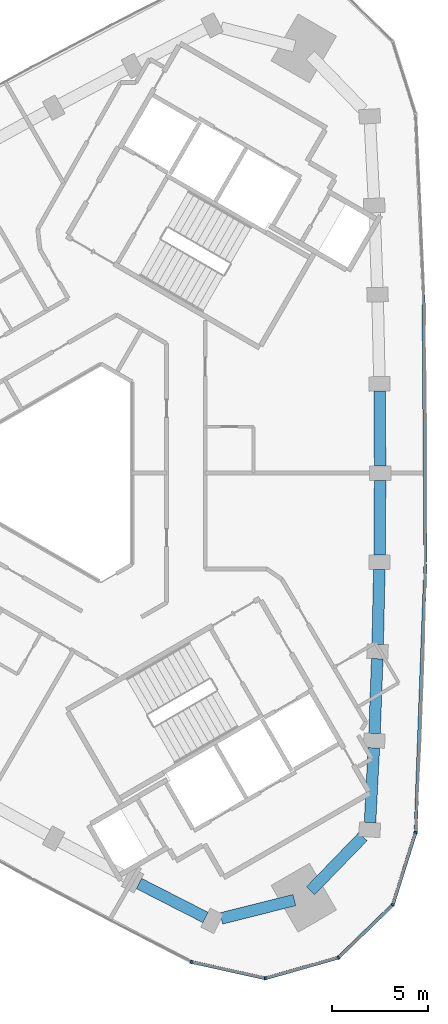
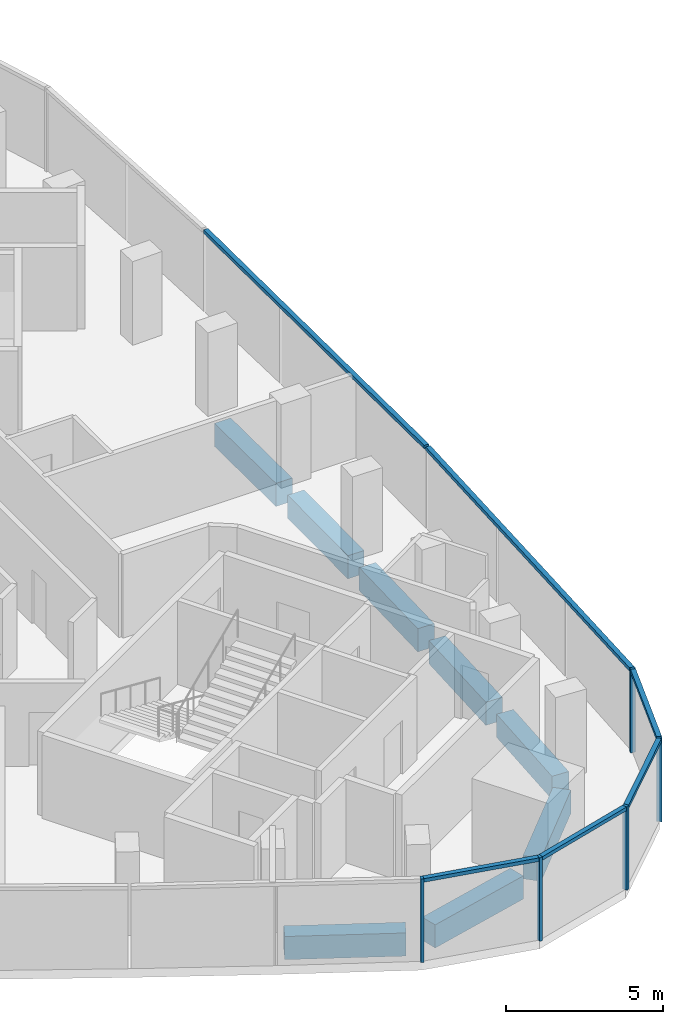
# One storey, part 3 of 11: 11 members, 8 beams, 2 elements without a shape of their own.
"""IFC4 building model written with IfcOpenShell, lengths in metres."""

from ifc_helpers import new_model, si_unit, direction, frame, origin, origin_2d, place, context, subcontext, project, spatial, rectangle, extrude, material, material_profile, profile_set, type_object, element, aggregate, save


model = new_model("IFC4")

# Units and contexts
model_context = context("Model", 3, precision=1e-05, world=origin(), true_north=direction((0.0, 1.0)))
body_context = subcontext(model_context, "Body", "Model", "MODEL_VIEW")
ifc_project = project(units=[si_unit("LENGTHUNIT", "METRE"), si_unit("AREAUNIT", "SQUARE_METRE"), si_unit("VOLUMEUNIT", "CUBIC_METRE"), si_unit("PLANEANGLEUNIT", "RADIAN"), si_unit("MASSUNIT", "GRAM", prefix="KILO")], contexts=[model_context])

# Site, building, storey
site_placement = place(None, origin())
site = spatial("IfcSite", under=ifc_project, at=site_placement, CompositionType="ELEMENT")
building_placement = place(site_placement, origin())
building = spatial("IfcBuilding", under=site, at=building_placement, Name="Tamra Quay Hotel Tower", CompositionType="ELEMENT")
storey_placement = place(building_placement, frame((0.0, 0.0, 235.800048828125)))
storey = spatial("IfcBuildingStorey", under=building, at=storey_placement, Name="L59", CompositionType="ELEMENT", Elevation=235.800048828125)

# Curtain wall, member
ifc_material_1 = material(Name="Aluminium 6063 anodised dark grey", Category="aluminium")
curtain_wall_type_1 = type_object("IfcCurtainWallType", Name="CW1 CURTAIN WALL", PredefinedType="NOTDEFINED", material=ifc_material_1)
curtain_wall_1_placement = place(storey_placement, origin())
curtain_wall_1 = element("IfcCurtainWall", 1, at=curtain_wall_1_placement, inside=storey, type_object=curtain_wall_type_1, Name="CW1 east face L59", PredefinedType="NOTDEFINED")
ifc_material_profile_1 = material_profile(ifc_material_1, rectangle(XDim=0.169921875, YDim=0.10009765625, at=origin_2d()), Name="MULLION 100X170")
ifc_profile_set_1 = profile_set([ifc_material_profile_1], Name="Aluminium 6063 anodised dark grey")
member_type_1 = type_object("IfcMemberType", Name="MULLION CW1 Z5", PredefinedType="MULLION", material=ifc_profile_set_1)
member_1_placement = place(storey_placement, frame((18.50732421875, -18.63037109375, 0.0), z_axis=(0.0, 0.0, 1.0), x_axis=(0.984105369622, -0.177585532857, 0.0)))
member_1 = element("IfcMember", 2, at=member_1_placement, type_object=member_type_1, Name="CW1 mullion L59.E.1", PredefinedType="MULLION", context=body_context, shape_type="SweptSolid", body=[
    extrude(rectangle(XDim=0.169921875, YDim=0.10009765625, at=origin_2d()), origin(), (0.0, 0.0, 1.0), 3.25),
])

# Curtain wall, members
curtain_wall_type_2 = type_object("IfcCurtainWallType", Name="CW3 CURTAIN WALL", PredefinedType="NOTDEFINED", material=ifc_material_1)
curtain_wall_2_placement = place(storey_placement, origin())
curtain_wall_2 = element("IfcCurtainWall", 3, at=curtain_wall_2_placement, inside=storey, type_object=curtain_wall_type_2, Name="CW3 south-west face L59", PredefinedType="NOTDEFINED")
ifc_material_profile_2 = material_profile(ifc_material_1, rectangle(XDim=0.169921875, YDim=0.10009765625, at=origin_2d()), Name="MULLION 100X170")
ifc_profile_set_2 = profile_set([ifc_material_profile_2], Name="Aluminium 6063 anodised dark grey")
member_type_2 = type_object("IfcMemberType", Name="MULLION CW3 Z5", PredefinedType="MULLION", material=ifc_profile_set_2)
member_2_placement = place(storey_placement, frame((6.880615234375, -25.343017578125, 0.0), z_axis=(0.0, 0.0, 1.0), x_axis=(-0.338259102012, -0.941053016522, 0.0)))
member_2 = element("IfcMember", 4, at=member_2_placement, type_object=member_type_2, Name="CW3 mullion L59.SW.9", PredefinedType="MULLION", context=body_context, shape_type="SweptSolid", body=[
    extrude(rectangle(XDim=0.169921875, YDim=0.10009765625, at=origin_2d()), origin(), (0.0, 0.0, 1.0), 3.25),
])
member_3_placement = place(storey_placement, frame((10.719970703125, -26.193359375, 0.0), z_axis=(0.0, 0.0, 1.0), x_axis=(0.029222506575, -0.999572931361, 0.0)))
member_3 = element("IfcMember", 5, at=member_3_placement, type_object=member_type_2, Name="CW3 mullion L59.SW.10", PredefinedType="MULLION", context=body_context, shape_type="SweptSolid", body=[
    extrude(rectangle(XDim=0.169921875, YDim=0.10009765625, at=origin_2d()), origin(), (0.0, 0.0, 1.0), 3.25),
])
member_4_placement = place(storey_placement, frame((14.503173828125, -25.1201171875, 0.0), z_axis=(0.0, 0.0, 1.0), x_axis=(0.5, -0.866025403784, 0.0)))
member_4 = element("IfcMember", 6, at=member_4_placement, type_object=member_type_2, Name="CW3 mullion L59.SW.11", PredefinedType="MULLION", context=body_context, shape_type="SweptSolid", body=[
    extrude(rectangle(XDim=0.169921875, YDim=0.10009765625, at=origin_2d()), origin(), (0.0, 0.0, 1.0), 3.25),
])
member_5_placement = place(storey_placement, frame((17.323974609375, -22.38037109375, 0.0), z_axis=(0.0, 0.0, 1.0), x_axis=(0.851044298206, -0.525093898736, 0.0)))
member_5 = element("IfcMember", 7, at=member_5_placement, type_object=member_type_2, Name="CW3 mullion L59.SW.12", PredefinedType="MULLION", context=body_context, shape_type="SweptSolid", body=[
    extrude(rectangle(XDim=0.169921875, YDim=0.10009765625, at=origin_2d()), origin(), (0.0, 0.0, 1.0), 3.25),
])

# Beams
ifc_material_2 = material(Name="Concrete M60", Category="concrete")
ifc_material_profile_3 = material_profile(ifc_material_2, rectangle(XDim=0.60009765625, YDim=0.89990234375, at=origin_2d()), Name="SPANDREL BEAM RC 600x900")
ifc_profile_set_3 = profile_set([ifc_material_profile_3], Name="Concrete M60")
beam_type = type_object("IfcBeamType", Name="SPANDREL BEAM RC 600x900", PredefinedType="SPANDREL", material=ifc_profile_set_3)
beam_1_placement = place(storey_placement, frame((16.144775390625, -18.116455078125, -0.800048828125), z_axis=(0.051404854824, 0.998677896471, 0.0), x_axis=(-0.998677896471, 0.051404854824, 0.0)))
element("IfcBeam", 8, at=beam_1_placement, inside=storey, type_object=beam_type, Name="BM-SP5-000-L59", PredefinedType="SPANDREL", context=body_context, shape_type="SweptSolid", body=[
    extrude(rectangle(XDim=0.60009765625, YDim=0.89990234375, at=origin_2d()), origin(), (0.0, 0.0, 1.0), 3.87548828125),
])
beam_2_placement = place(storey_placement, frame((16.377197265625, -13.496826171875, -0.800048828125), z_axis=(0.036732019634, 0.999325151657, 0.0), x_axis=(-0.999325151657, 0.036732019634, 0.0)))
element("IfcBeam", 9, at=beam_2_placement, inside=storey, type_object=beam_type, Name="BM-SP5-001-L59", PredefinedType="SPANDREL", context=body_context, shape_type="SweptSolid", body=[
    extrude(rectangle(XDim=0.60009765625, YDim=0.89990234375, at=origin_2d()), origin(), (0.0, 0.0, 1.0), 3.875),
])
beam_3_placement = place(storey_placement, frame((16.54150390625, -8.874755859375, -0.800048828125), z_axis=(0.022047440235, 0.999756925647, 0.0), x_axis=(-0.999756925647, 0.022047440235, 0.0)))
element("IfcBeam", 10, at=beam_3_placement, inside=storey, type_object=beam_type, Name="BM-SP5-002-L59", PredefinedType="SPANDREL", context=body_context, shape_type="SweptSolid", body=[
    extrude(rectangle(XDim=0.60009765625, YDim=0.89990234375, at=origin_2d()), origin(), (0.0, 0.0, 1.0), 3.875732421875),
])
for number, where, z_axis, x_axis, name in (
    (11, (16.63818359375, -4.25, -0.800048828125), (0.007308272564, 0.999973294219, 0.0), (-0.999973294219, 0.007308272564, 0.0), "BM-SP5-003-L59"),
    (12, (16.66650390625, 0.375, -0.800048828125), (-0.007308272564, 0.999973294219, 0.0), (-0.999973294219, -0.007308272564, 0.0), "BM-SP5-004-L59"),
):
    element("IfcBeam", number, at=place(storey_placement, frame(where, z_axis=z_axis, x_axis=x_axis)), inside=storey, type_object=beam_type, Name=name, PredefinedType="SPANDREL", context=body_context, shape_type="SweptSolid", body=[
        extrude(rectangle(XDim=0.60009765625, YDim=0.89990234375, at=origin_2d()), origin(), (0.0, 0.0, 1.0), 3.875),
    ])
beam_4_placement = place(storey_placement, frame((4.16552734375, -21.277587890625, -0.800048828125), z_axis=(0.890602550436, -0.454782472349, 0.0), x_axis=(0.454782472349, 0.890602550436, 0.0)))
element("IfcBeam", 13, at=beam_4_placement, inside=storey, type_object=beam_type, Name="BM-SP5-027-L59", PredefinedType="SPANDREL", context=body_context, shape_type="SweptSolid", body=[
    extrude(rectangle(XDim=0.60009765625, YDim=0.89990234375, at=origin_2d()), origin(), (0.0, 0.0, 1.0), 3.87548828125),
])
beam_5_placement = place(storey_placement, frame((8.430908203125, -23.090087890625, -0.800048828125), z_axis=(0.969848171666, 0.243709917558, 0.0), x_axis=(-0.243709917558, 0.969848171666, 0.0)))
element("IfcBeam", 14, at=beam_5_placement, inside=storey, type_object=beam_type, Name="BM-SP5-028-L59", PredefinedType="SPANDREL", context=body_context, shape_type="SweptSolid", body=[
    extrude(rectangle(XDim=0.60009765625, YDim=0.89990234375, at=origin_2d()), origin(), (0.0, 0.0, 1.0), 3.912841796875),
])
beam_6_placement = place(storey_placement, frame((13.05810546875, -21.656005859375, -0.800048828125), z_axis=(0.69594408001, 0.718095980701, 0.0), x_axis=(-0.718095980701, 0.69594408001, 0.0)))
element("IfcBeam", 15, at=beam_6_placement, inside=storey, type_object=beam_type, Name="BM-SP5-029-L59", PredefinedType="SPANDREL", context=body_context, shape_type="SweptSolid", body=[
    extrude(rectangle(XDim=0.60009765625, YDim=0.89990234375, at=origin_2d()), origin(), (0.0, 0.0, 1.0), 3.91259765625),
])

# Member
ifc_material_profile_4 = material_profile(ifc_material_1, rectangle(XDim=0.169921875, YDim=0.139892578125, at=origin_2d()), Name="TRANSOM 170X140")
ifc_profile_set_4 = profile_set([ifc_material_profile_4], Name="Aluminium 6063 anodised dark grey")
member_type_3 = type_object("IfcMemberType", Name="TRANSOM CW1 Z5", PredefinedType="USERDEFINED", material=ifc_profile_set_4)
member_6_placement = place(storey_placement, frame((18.509765625, -18.580322265625, 3.179931640625), z_axis=(0.036746859744, 0.999324606071, 0.0), x_axis=(-0.999324606071, 0.036746859744, 0.0)))
member_6 = element("IfcMember", 16, at=member_6_placement, type_object=member_type_3, Name="CW1 transom L59.E.1", ObjectType="TRANSOM", PredefinedType="USERDEFINED", context=body_context, shape_type="SweptSolid", body=[
    extrude(rectangle(XDim=0.169921875, YDim=0.139892578125, at=origin_2d()), origin(), (0.0, 0.0, 1.0), 13.87890625),
])

member_7_placement = place(storey_placement, frame((19.021240234375, -4.61083984375, 3.179931640625), z_axis=(-0.007352354434, 0.999972971077, 0.0), x_axis=(-0.999972971077, -0.007352354434, 0.0)))
member_7 = element("IfcMember", 17, at=member_7_placement, type_object=member_type_3, Name="CW1 transom L59.E.4", ObjectType="TRANSOM", PredefinedType="USERDEFINED", context=body_context, shape_type="SweptSolid", body=[
    extrude(rectangle(XDim=0.169921875, YDim=0.139892578125, at=origin_2d()), origin(), (0.0, 0.0, 1.0), 13.880126953125),
])

aggregate(curtain_wall_1, [member_1, member_6, member_7])

ifc_material_profile_5 = material_profile(ifc_material_1, rectangle(XDim=0.169921875, YDim=0.139892578125, at=origin_2d()), Name="TRANSOM 170X140")
ifc_profile_set_5 = profile_set([ifc_material_profile_5], Name="Aluminium 6063 anodised dark grey")
member_type_4 = type_object("IfcMemberType", Name="TRANSOM CW3 Z5", PredefinedType="USERDEFINED", material=ifc_profile_set_5)
member_8_placement = place(storey_placement, frame((6.929443359375, -25.353759765625, 3.179931640625), z_axis=(0.976345686568, -0.216215402598, 0.0), x_axis=(0.216215402598, 0.976345686568, 0.0)))
member_8 = element("IfcMember", 18, at=member_8_placement, type_object=member_type_4, Name="CW3 transom L59.SW.9", ObjectType="TRANSOM", PredefinedType="USERDEFINED", context=body_context, shape_type="SweptSolid", body=[
    extrude(rectangle(XDim=0.169921875, YDim=0.139892578125, at=origin_2d()), origin(), (0.0, 0.0, 1.0), 3.832275390625),
])

member_9_placement = place(storey_placement, frame((10.76806640625, -26.1796875, 3.179931640625), z_axis=(0.962041469084, 0.272903301123, 0.0), x_axis=(-0.272903301123, 0.962041469084, 0.0)))
member_9 = element("IfcMember", 19, at=member_9_placement, type_object=member_type_4, Name="CW3 transom L59.SW.10", ObjectType="TRANSOM", PredefinedType="USERDEFINED", context=body_context, shape_type="SweptSolid", body=[
    extrude(rectangle(XDim=0.169921875, YDim=0.139892578125, at=origin_2d()), origin(), (0.0, 0.0, 1.0), 3.83251953125),
])

member_10_placement = place(storey_placement, frame((14.5390625, -25.085205078125, 3.179931640625), z_axis=(0.717352155518, 0.696710761345, 0.0), x_axis=(-0.696710761345, 0.717352155518, 0.0)))
member_10 = element("IfcMember", 20, at=member_10_placement, type_object=member_type_4, Name="CW3 transom L59.SW.11", ObjectType="TRANSOM", PredefinedType="USERDEFINED", context=body_context, shape_type="SweptSolid", body=[
    extrude(rectangle(XDim=0.169921875, YDim=0.139892578125, at=origin_2d()), origin(), (0.0, 0.0, 1.0), 3.832275390625),
])

member_11_placement = place(storey_placement, frame((17.339111328125, -22.332763671875, 3.179931640625), z_axis=(0.300878302807, 0.953662543513, 0.0), x_axis=(-0.953662543513, 0.300878302807, 0.0)))
member_11 = element("IfcMember", 21, at=member_11_placement, type_object=member_type_4, Name="CW3 transom L59.SW.12", ObjectType="TRANSOM", PredefinedType="USERDEFINED", context=body_context, shape_type="SweptSolid", body=[
    extrude(rectangle(XDim=0.169921875, YDim=0.139892578125, at=origin_2d()), origin(), (0.0, 0.0, 1.0), 3.832275390625),
])

aggregate(curtain_wall_2, [member_2, member_8, member_3, member_9, member_4, member_10, member_5, member_11])

save(model, "model.ifc")
